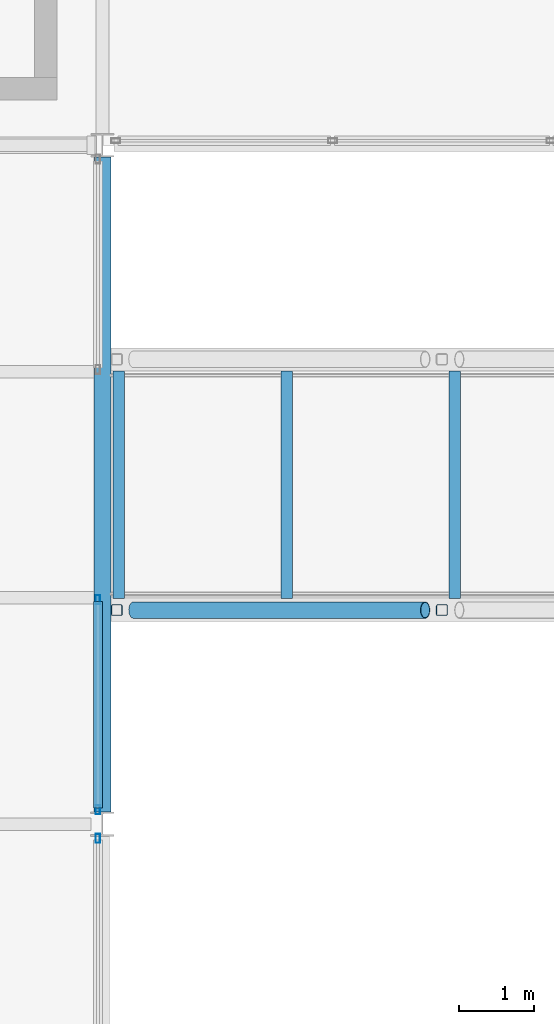
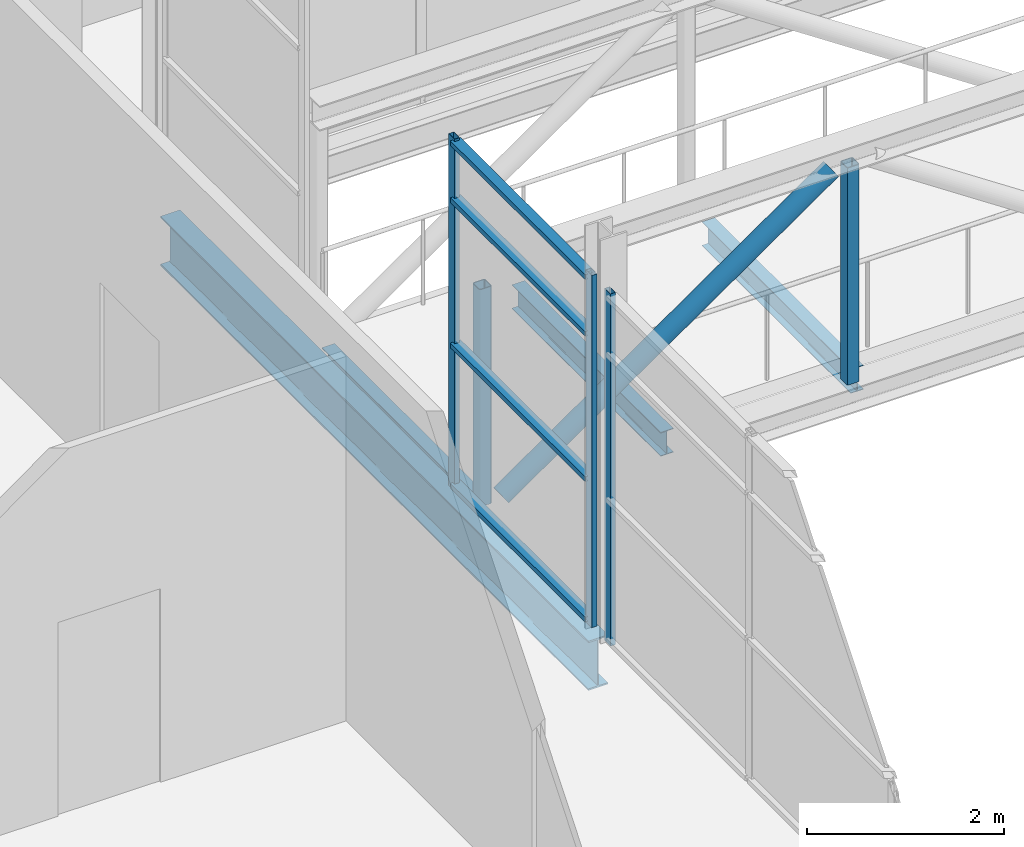
# One storey, part 21 of 94: 10 members, 4 beams, 2 elements without a shape of their own.
"""IFC4 building model written with IfcOpenShell, lengths in metres."""

import ifcopenshell
import ifcopenshell.guid

model = None  # the IFC model being written
_history = None  # IfcOwnerHistory: only IFC2X3 demands one
_inside = {}  # id of a spatial element -> (the spatial element, [elements in it])
_under = {}  # id of a project, library or spatial element -> (it, [spatial elements below it])
_declared = {}  # id of a project -> (the project, [libraries it declares])
_typed = {}  # id of a type object -> (the type object, [elements of that type])
_made_of = {}  # id of a material, layer set ... -> (it, [elements and type objects made of it])


def new_model(schema):
    """Start an empty IFC model of exactly this schema.

    Asked for "IFC4X3", IfcOpenShell would pick the latest addendum, in which some entities
    have other attributes; the version numbers below select the first issue.
    IFC2X3 requires an IfcOwnerHistory on every rooted entity: one is made here for all.
    """
    global model, _history
    if schema == "IFC4X3":
        model = ifcopenshell.file(schema_version=(4, 3, 0, 0))
    else:
        model = ifcopenshell.file(schema=schema)
    _inside.clear()
    _under.clear()
    _declared.clear()
    _typed.clear()
    _made_of.clear()
    _history = None
    if model.schema == "IFC2X3":
        org = make("IfcOrganization", Name="unknown")
        user = make(
            "IfcPersonAndOrganization",
            ThePerson=make("IfcPerson", FamilyName="unknown"),
            TheOrganization=org,
        )
        app = make(
            "IfcApplication",
            ApplicationDeveloper=org,
            Version="unknown",
            ApplicationFullName="unknown",
            ApplicationIdentifier="unknown",
        )
        _history = make(
            "IfcOwnerHistory",
            OwningUser=user,
            OwningApplication=app,
            ChangeAction="ADDED",
            CreationDate=0,
        )
    return model


def make(cls, **values):
    """One entity of the class cls with the attributes given. An attribute that is None is left unset."""
    return model.create_entity(
        cls, **{name: value for name, value in values.items() if value is not None}
    )


def rooted(cls, **values):
    """An entity with a GlobalId (a new one), such as an element, a storey or a relation."""
    return make(cls, GlobalId=ifcopenshell.guid.new(), OwnerHistory=_history, **values)


def si_unit(unit_type, name, prefix=None):
    """IfcSIUnit, for example si_unit("LENGTHUNIT", "METRE", prefix="MILLI")."""
    return make("IfcSIUnit", UnitType=unit_type, Prefix=prefix, Name=name)


def assignment(units):
    """IfcUnitAssignment: the units of a project."""
    return None if units is None else make("IfcUnitAssignment", Units=units)


def point(xyz):
    """IfcCartesianPoint."""
    return None if xyz is None else make("IfcCartesianPoint", Coordinates=xyz)


def direction(xyz):
    """IfcDirection."""
    return None if xyz is None else make("IfcDirection", DirectionRatios=xyz)


def frame(location, z_axis=None, x_axis=None):
    """IfcAxis2Placement3D, a coordinate frame: its origin and axes. An axis left out is left unset."""
    return make(
        "IfcAxis2Placement3D",
        Location=point(location),
        Axis=direction(z_axis),
        RefDirection=direction(x_axis),
    )


def frame_2d(location, x_axis=None):
    """IfcAxis2Placement2D, a coordinate frame in the plane: its origin and x axis."""
    return make(
        "IfcAxis2Placement2D", Location=point(location), RefDirection=direction(x_axis)
    )


def origin():
    """The frame at (0, 0, 0) with its axes left unset."""
    return frame((0.0, 0.0, 0.0))


def origin_2d():
    """The frame at (0, 0) in the plane with its x axis left unset."""
    return frame_2d((0.0, 0.0))


def place(relative_to, where):
    """IfcLocalPlacement: puts the frame where relative to a parent placement (None: the world)."""
    return make(
        "IfcLocalPlacement", PlacementRelTo=relative_to, RelativePlacement=where
    )


def context(
    kind, dimensions, precision=None, world=None, true_north=None, identifier=None
):
    """IfcGeometricRepresentationContext, for example the 3D "Model" context."""
    return make(
        "IfcGeometricRepresentationContext",
        ContextIdentifier=identifier,
        ContextType=kind,
        CoordinateSpaceDimension=dimensions,
        Precision=precision,
        WorldCoordinateSystem=world,
        TrueNorth=true_north,
    )


def subcontext(parent, identifier, kind, view, scale=None):
    """IfcGeometricRepresentationSubContext, for example "Body" below "Model"."""
    return make(
        "IfcGeometricRepresentationSubContext",
        ContextIdentifier=identifier,
        ContextType=kind,
        ParentContext=parent,
        TargetScale=scale,
        TargetView=view,
    )


def project(units=None, contexts=None):
    """IfcProject with its units and contexts."""
    return rooted(
        "IfcProject",
        Name="project",
        RepresentationContexts=contexts,
        UnitsInContext=assignment(units),
    )


def spatial(cls, under=None, at=None, **own):
    """A site, building, storey or space (cls), placed at a placement, below another one or the project."""
    s = rooted(cls, ObjectPlacement=at, **own)
    if under is not None:
        _under.setdefault(under.id(), (under, []))[1].append(s)
    return s


def profile(cls, at=None, kind="AREA", **sizes):
    """A parametric profile (cls). Its sizes go by their IFC names, for example OverallWidth=200.0."""
    return make(cls, ProfileType=kind, Position=at, **sizes)


def hollow_rectangle(**sizes):
    """IfcRectangleHollowProfileDef."""
    return profile("IfcRectangleHollowProfileDef", **sizes)


def hollow_circle(**sizes):
    """IfcCircleHollowProfileDef."""
    return profile("IfcCircleHollowProfileDef", **sizes)


def i_section(**sizes):
    """IfcIShapeProfileDef."""
    return profile("IfcIShapeProfileDef", **sizes)


def extrude(swept, where, along, depth):
    """IfcExtrudedAreaSolid: the profile swept, set in the frame where, extruded along a direction by depth."""
    return make(
        "IfcExtrudedAreaSolid",
        SweptArea=swept,
        Position=where,
        ExtrudedDirection=direction(along),
        Depth=depth,
    )


def shape(context_of_items, identifier, shape_type, items):
    """IfcShapeRepresentation: the items that make up one representation, for example the "Body"."""
    return make(
        "IfcShapeRepresentation",
        ContextOfItems=context_of_items,
        RepresentationIdentifier=identifier,
        RepresentationType=shape_type,
        Items=items,
    )


def material(Name=None, Category=None):
    """IfcMaterial."""
    return make("IfcMaterial", Name=Name, Category=Category)


def layer(
    of_material, thickness, ventilated=None, Name=None, Category=None, Priority=None
):
    """IfcMaterialLayer: one layer of a wall or slab, of a material (None: an air gap)."""
    return make(
        "IfcMaterialLayer",
        Material=of_material,
        LayerThickness=thickness,
        IsVentilated=ventilated,
        Name=Name,
        Category=Category,
        Priority=Priority,
    )


def layer_set(layers, Name=None):
    """IfcMaterialLayerSet."""
    return make("IfcMaterialLayerSet", MaterialLayers=layers, LayerSetName=Name)


def material_profile(
    of_material, cross_section, Name=None, Category=None, Priority=None
):
    """IfcMaterialProfile: a cross section and its material."""
    return make(
        "IfcMaterialProfile",
        Name=Name,
        Material=of_material,
        Profile=cross_section,
        Priority=Priority,
        Category=Category,
    )


def profile_set(profiles, Name=None, composite=None):
    """IfcMaterialProfileSet."""
    return make(
        "IfcMaterialProfileSet",
        Name=Name,
        MaterialProfiles=profiles,
        CompositeProfile=composite,
    )


def made_of(thing, what):
    """Note that an element or type object is made of a material, layer set ...; save() writes the relation."""
    if what is not None:
        _made_of.setdefault(what.id(), (what, []))[1].append(thing)
    return thing


def type_object(cls, material=None, **own):
    """A type object (cls), such as IfcWallType, which elements share."""
    return made_of(rooted(cls, **own), material)


def element(
    cls,
    number,
    at=None,
    inside=None,
    cuts=None,
    type_object=None,
    material=None,
    context=None,
    identifier="Body",
    shape_type=None,
    held_by="IfcProductDefinitionShape",
    body=None,
    shapes=None,
    **own,
):
    """One element of the class cls, such as IfcWall. Its Tag is "e" and its number.

    at: its placement. inside: the storey or other place that contains it. cuts: it is an
    opening in that element (IfcRelVoidsElement). A single representation is given by context,
    identifier, shape_type and body (its items); several are given by shapes. held_by: the class
    of the entity that holds the representations. save() writes the other relations.
    """
    e = rooted(cls, Tag="e%d" % number, ObjectPlacement=at, **own)
    if body is not None:
        shapes = [shape(context, identifier, shape_type, body)]
    if shapes is not None:
        e.Representation = make(held_by, Representations=shapes)
    if inside is not None:
        _inside.setdefault(inside.id(), (inside, []))[1].append(e)
    if cuts is not None:
        rooted(
            "IfcRelVoidsElement", RelatingBuildingElement=cuts, RelatedOpeningElement=e
        )
    if type_object is not None:
        _typed.setdefault(type_object.id(), (type_object, []))[1].append(e)
    return made_of(e, material)


def aggregate(whole, parts):
    """IfcRelAggregates: a whole, such as a stair, and the parts it consists of."""
    return rooted("IfcRelAggregates", RelatingObject=whole, RelatedObjects=parts)


def save(model, path):
    """Write the relations noted so far, then the file.

    IfcRelAggregates (storeys below a building ...), IfcRelContainedInSpatialStructure (elements
    in a storey), IfcRelDefinesByType, IfcRelAssociatesMaterial and IfcRelDeclares: one each for
    every whole, place, type object, material and project.
    """
    for whole, parts in _under.values():
        aggregate(whole, parts)
    for where, things in _inside.values():
        rooted(
            "IfcRelContainedInSpatialStructure",
            RelatedElements=things,
            RelatingStructure=where,
        )
    for kind, things in _typed.values():
        rooted("IfcRelDefinesByType", RelatedObjects=things, RelatingType=kind)
    for what, things in _made_of.values():
        rooted("IfcRelAssociatesMaterial", RelatedObjects=things, RelatingMaterial=what)
    for by, libraries in _declared.values():
        rooted("IfcRelDeclares", RelatingContext=by, RelatedDefinitions=libraries)
    model.write(path)


model = new_model("IFC4")

# Units and contexts
model_context = context("Model", 3, precision=1e-05, world=origin(), true_north=direction((0.0, 1.0)))
body_context = subcontext(model_context, "Body", "Model", "MODEL_VIEW")
ifc_project = project(units=[si_unit("LENGTHUNIT", "METRE"), si_unit("AREAUNIT", "SQUARE_METRE"), si_unit("VOLUMEUNIT", "CUBIC_METRE"), si_unit("PLANEANGLEUNIT", "RADIAN"), si_unit("MASSUNIT", "GRAM", prefix="KILO")], contexts=[model_context])

# Site, building, storey
site_placement = place(None, origin())
site = spatial("IfcSite", under=ifc_project, at=site_placement, CompositionType="ELEMENT")
building_placement = place(site_placement, origin())
building = spatial("IfcBuilding", under=site, at=building_placement, Name="Shorebreak Coast Museum", CompositionType="ELEMENT")
storey_placement = place(building_placement, frame((0.0, 0.0, 31.0)))
storey = spatial("IfcBuildingStorey", under=building, at=storey_placement, Name="L05", CompositionType="ELEMENT", Elevation=31.0)

# Beams
ifc_material_1 = material(Name="Steel Grade 300", Category="steel")
ifc_material_profile_1 = material_profile(ifc_material_1, i_section(OverallWidth=0.14892578125, OverallDepth=0.298095703125, WebThickness=0.005615234375, FlangeThickness=0.008056640625, FilletRadius=0.012939453125, at=origin_2d()), Name="310UB32.0")
ifc_profile_set_1 = profile_set([ifc_material_profile_1], Name="Steel Grade 300")
beam_type_1 = type_object("IfcBeamType", Name="Atrium bridge cross beam 310UB32.0", PredefinedType="BEAM", material=ifc_profile_set_1)
for number, where, z_axis, x_axis, name in (
    (1, (63.214599609375, 74.989990234375, -0.323974609375), (0.0, 1.0, 0.0), (-1.0, 0.0, 0.0), "Atrium bridge cross beam BR3 01"),
    (2, (65.443115234375, 74.989990234375, -0.323974609375), (0.0, 1.0, 0.0), (-1.0, 0.0, 0.0), "Atrium bridge cross beam BR3 02"),
    (3, (67.671630859375, 74.989990234375, -0.323974609375), (0.0, 1.0, 0.0), (-1.0, 0.0, 0.0), "Atrium bridge cross beam BR3 03"),
):
    element("IfcBeam", number, at=place(storey_placement, frame(where, z_axis=z_axis, x_axis=x_axis)), inside=storey, type_object=beam_type_1, Name=name, PredefinedType="BEAM", context=body_context, shape_type="SweptSolid", body=[
        extrude(i_section(OverallWidth=0.14892578125, OverallDepth=0.298095703125, WebThickness=0.005615234375, FlangeThickness=0.008056640625, FilletRadius=0.012939453125, at=origin_2d()), origin(), (0.0, 0.0, 1.0), 3.02001953125),
    ])

# Members
ifc_material_2 = material(Name="Steel Grade C350L0", Category="steel")
ifc_material_profile_2 = material_profile(ifc_material_2, hollow_circle(Radius=0.109619140625, WallThickness=0.00830078125, at=origin_2d()), Name="219.1x8.2 CHS")
ifc_profile_set_2 = profile_set([ifc_material_profile_2], Name="Steel Grade C350L0")
member_type_1 = type_object("IfcMemberType", Name="Atrium bridge truss diagonal 219.1x8.2 CHS", PredefinedType="BRACE", material=ifc_profile_set_2)
member_1_placement = place(storey_placement, frame((63.410888671875, 74.83740234375, -0.175048828125), z_axis=(0.820764739415, 0.0, 0.571266349904), x_axis=(0.0, 1.0, 0.0)))
element("IfcMember", 4, at=member_1_placement, inside=storey, type_object=member_type_1, Name="Atrium bridge truss BR3 side A diagonal D01", PredefinedType="BRACE", context=body_context, shape_type="SweptSolid", body=[
    extrude(hollow_circle(Radius=0.109619140625, WallThickness=0.00830078125, at=origin_2d()), origin(), (0.0, 0.0, 1.0), 4.712646484375),
])
ifc_material_3 = material(Name="Steel Grade C450L0", Category="steel")
ifc_material_profile_3 = material_profile(ifc_material_3, hollow_rectangle(XDim=0.14990234375, YDim=0.14990234375, WallThickness=0.009033203125, InnerFilletRadius=0.013427734375, OuterFilletRadius=0.0224609375, at=origin_2d()), Name="150x150x9.0 SHS")
ifc_profile_set_3 = profile_set([ifc_material_profile_3], Name="Steel Grade C450L0")
member_type_2 = type_object("IfcMemberType", Name="Atrium bridge truss strut 150x150x9.0 SHS", PredefinedType="STRUT", material=ifc_profile_set_3)
for number, where, z_axis, x_axis, name in (
    (5, (63.189453125, 74.83740234375, -0.175048828125), (0.0, 0.0, 1.0), (1.0, 0.0, 0.0), "Atrium bridge truss BR3 side A strut V01"),
    (6, (67.5, 74.83740234375, -0.175048828125), (0.0, 0.0, 1.0), (1.0, 0.0, 0.0), "Atrium bridge truss BR3 side A strut V02"),
):
    element("IfcMember", number, at=place(storey_placement, frame(where, z_axis=z_axis, x_axis=x_axis)), inside=storey, type_object=member_type_2, Name=name, PredefinedType="STRUT", context=body_context, shape_type="SweptSolid", body=[
        extrude(hollow_rectangle(XDim=0.14990234375, YDim=0.14990234375, WallThickness=0.009033203125, InnerFilletRadius=0.013427734375, OuterFilletRadius=0.0224609375, at=origin_2d()), origin(), (0.0, 0.0, 1.0), 2.692138671875),
    ])

# Beam
ifc_material_4 = material(Name="Steel Grade 300", Category="steel")
ifc_material_profile_4 = material_profile(ifc_material_4, i_section(OverallWidth=0.22900390625, OverallDepth=0.612060546875, WebThickness=0.011962890625, FlangeThickness=0.01953125, FilletRadius=0.013916015625, at=origin_2d()), Name="610UB125")
ifc_profile_set_4 = profile_set([ifc_material_profile_4], Name="Steel Grade 300")
beam_type_2 = type_object("IfcBeamType", Name="Bearing girder north-south 610UB125", PredefinedType="BEAM", material=ifc_profile_set_4)
beam_placement = place(storey_placement, frame((63.0, 72.1572265625, -0.48095703125), z_axis=(0.0, 1.0, 0.0), x_axis=(-1.0, 0.0, 0.0)))
element("IfcBeam", 7, at=beam_placement, inside=storey, type_object=beam_type_2, Name="Bearing girder north-south L05 8J", PredefinedType="BEAM", context=body_context, shape_type="SweptSolid", body=[
    extrude(i_section(OverallWidth=0.22900390625, OverallDepth=0.612060546875, WebThickness=0.011962890625, FlangeThickness=0.01953125, FilletRadius=0.013916015625, at=origin_2d()), origin(), (0.0, 0.0, 1.0), 8.685546875),
])

# Curtain wall, member
ifc_material_5 = material(Name="Aluminium", Category="aluminium")
ifc_layer = layer(ifc_material_5, 0.1201171875)
ifc_layer_set = layer_set([ifc_layer], Name="Aluminium")
curtain_wall_type = type_object("IfcCurtainWallType", Name="Atrium fire screen", PredefinedType="NOTDEFINED", material=ifc_layer_set)
curtain_wall_1_placement = place(storey_placement, origin())
curtain_wall_1 = element("IfcCurtainWall", 8, at=curtain_wall_1_placement, inside=storey, type_object=curtain_wall_type, Name="Atrium screen L05 W 73", PredefinedType="NOTDEFINED")
ifc_material_6 = material(Name="Aluminium", Category="aluminium")
ifc_material_profile_5 = material_profile(ifc_material_6, hollow_rectangle(XDim=0.06005859375, YDim=0.1201171875, WallThickness=0.00341796875, at=origin_2d()), Name="AL 120x60 RHS")
ifc_profile_set_5 = profile_set([ifc_material_profile_5], Name="Aluminium")
member_type_3 = type_object("IfcMemberType", Name="Screen mullion 50 x 120", PredefinedType="MULLION", material=ifc_profile_set_5)
member_2_placement = place(storey_placement, frame((62.93994140625, 71.811279296875, 0.0), z_axis=(0.0, 0.0, 1.0), x_axis=(-1.0, 0.0, 0.0)))
member_2 = element("IfcMember", 9, at=member_2_placement, type_object=member_type_3, Name="CW5 mullion 4", PredefinedType="MULLION", context=body_context, shape_type="SweptSolid", body=[
    extrude(hollow_rectangle(XDim=0.06005859375, YDim=0.1201171875, WallThickness=0.00341796875, at=origin_2d()), origin(), (0.0, 0.0, 1.0), 4.364501953125),
])
aggregate(curtain_wall_1, [member_2])

# Curtain wall, members
curtain_wall_2_placement = place(storey_placement, origin())
curtain_wall_2 = element("IfcCurtainWall", 10, at=curtain_wall_2_placement, inside=storey, type_object=curtain_wall_type, Name="Atrium screen L05 W 74", PredefinedType="NOTDEFINED")
member_3_placement = place(storey_placement, frame((62.93994140625, 72.188720703125, 0.0), z_axis=(0.0, 0.0, 1.0), x_axis=(-1.0, 0.0, 0.0)))
member_3 = element("IfcMember", 11, at=member_3_placement, type_object=member_type_3, Name="CW6 mullion 1", PredefinedType="MULLION", context=body_context, shape_type="SweptSolid", body=[
    extrude(hollow_rectangle(XDim=0.06005859375, YDim=0.1201171875, WallThickness=0.00341796875, at=origin_2d()), origin(), (0.0, 0.0, 1.0), 4.364501953125),
])
member_4_placement = place(storey_placement, frame((62.93994140625, 74.97509765625, 0.0), z_axis=(0.0, 0.0, 1.0), x_axis=(-1.0, 0.0, 0.0)))
member_4 = element("IfcMember", 12, at=member_4_placement, type_object=member_type_3, Name="CW6 mullion 2", PredefinedType="MULLION", context=body_context, shape_type="SweptSolid", body=[
    extrude(hollow_rectangle(XDim=0.06005859375, YDim=0.1201171875, WallThickness=0.00341796875, at=origin_2d()), origin(), (0.0, 0.0, 1.0), 4.364501953125),
])
ifc_material_7 = material(Name="Aluminium", Category="aluminium")
ifc_material_profile_6 = material_profile(ifc_material_7, hollow_rectangle(XDim=0.1201171875, YDim=0.06005859375, WallThickness=0.00341796875, at=origin_2d()), Name="AL 60x120 RHS")
ifc_profile_set_6 = profile_set([ifc_material_profile_6], Name="Aluminium")
member_type_4 = type_object("IfcMemberType", Name="Screen transom 120 x 50", PredefinedType="USERDEFINED", material=ifc_profile_set_6)
member_5_placement = place(storey_placement, frame((62.93994140625, 72.213623046875, 0.06005859375), z_axis=(0.0, 1.0, 0.0), x_axis=(-1.0, 0.0, 0.0)))
member_5 = element("IfcMember", 13, at=member_5_placement, type_object=member_type_4, Name="CW6 transom 1.1", ObjectType="TRANSOM", PredefinedType="USERDEFINED", context=body_context, shape_type="SweptSolid", body=[
    extrude(hollow_rectangle(XDim=0.1201171875, YDim=0.06005859375, WallThickness=0.00341796875, at=origin_2d()), origin(), (0.0, 0.0, 1.0), 2.736328125),
])
member_6_placement = place(storey_placement, frame((62.93994140625, 72.213623046875, 1.800048828125), z_axis=(0.0, 1.0, 0.0), x_axis=(-1.0, 0.0, 0.0)))
member_6 = element("IfcMember", 14, at=member_6_placement, type_object=member_type_4, Name="CW6 transom 1.2", ObjectType="TRANSOM", PredefinedType="USERDEFINED", context=body_context, shape_type="SweptSolid", body=[
    extrude(hollow_rectangle(XDim=0.1201171875, YDim=0.06005859375, WallThickness=0.00341796875, at=origin_2d()), origin(), (0.0, 0.0, 1.0), 2.736328125),
])
member_7_placement = place(storey_placement, frame((62.93994140625, 72.213623046875, 3.60009765625), z_axis=(0.0, 1.0, 0.0), x_axis=(-1.0, 0.0, 0.0)))
member_7 = element("IfcMember", 15, at=member_7_placement, type_object=member_type_4, Name="CW6 transom 1.3", ObjectType="TRANSOM", PredefinedType="USERDEFINED", context=body_context, shape_type="SweptSolid", body=[
    extrude(hollow_rectangle(XDim=0.1201171875, YDim=0.06005859375, WallThickness=0.00341796875, at=origin_2d()), origin(), (0.0, 0.0, 1.0), 2.736328125),
])
member_8_placement = place(storey_placement, frame((62.93994140625, 72.213623046875, 4.3046875), z_axis=(0.0, 1.0, 0.0), x_axis=(-1.0, 0.0, 0.0)))
member_8 = element("IfcMember", 16, at=member_8_placement, type_object=member_type_4, Name="CW6 transom 1.4", ObjectType="TRANSOM", PredefinedType="USERDEFINED", context=body_context, shape_type="SweptSolid", body=[
    extrude(hollow_rectangle(XDim=0.1201171875, YDim=0.06005859375, WallThickness=0.00341796875, at=origin_2d()), origin(), (0.0, 0.0, 1.0), 2.736328125),
])
aggregate(curtain_wall_2, [member_3, member_4, member_5, member_6, member_7, member_8])

save(model, "model.ifc")
